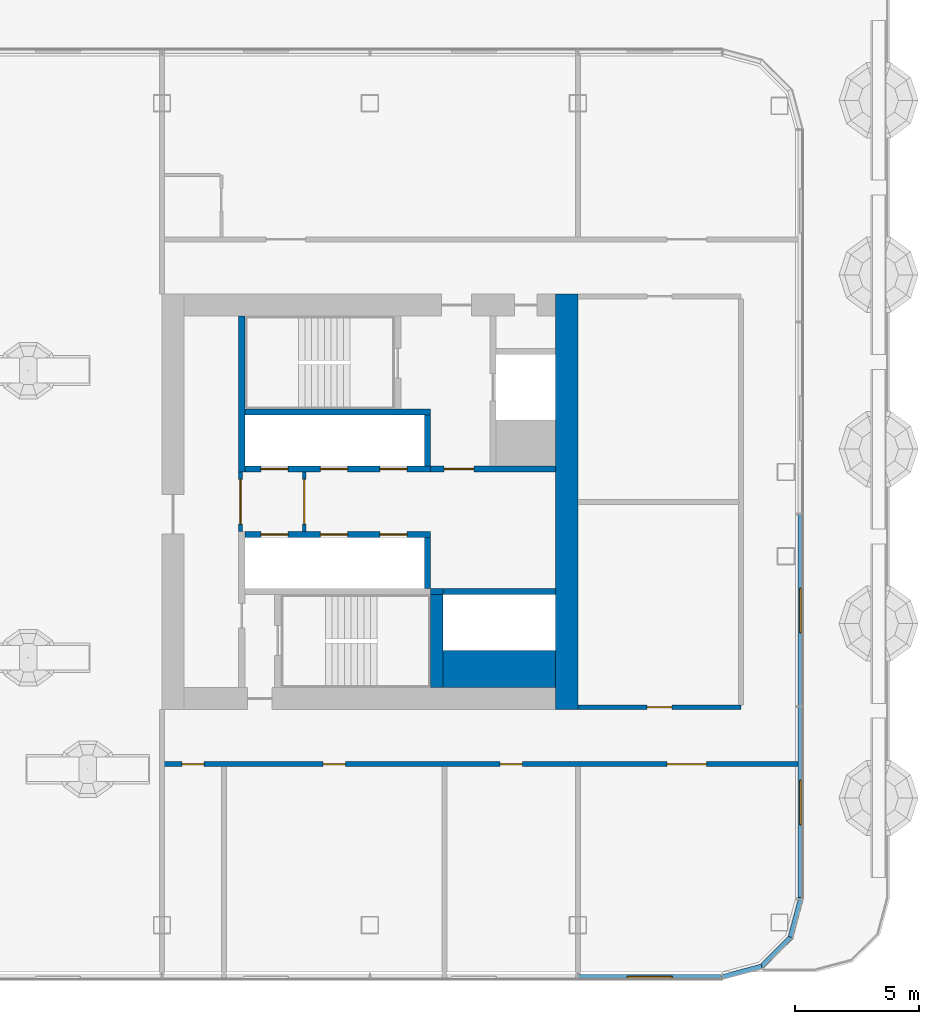
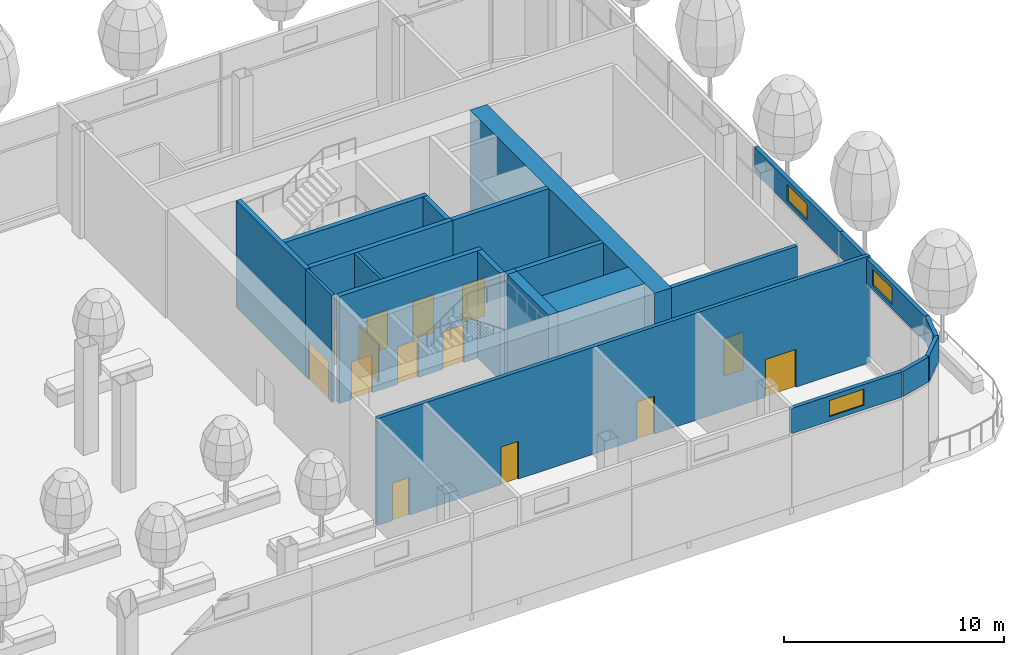
# One storey, part 15 of 43: 22 walls, 14 doors, 3 windows, 17 openings, 3 elements without a shape of their own.
"""IFC4 building model written with IfcOpenShell, lengths in metres."""

from ifc_helpers import new_model, si_unit, direction, frame, frame_2d, origin, place, context, subcontext, project, spatial, rectangle, extrude, material, layer, layer_set, type_object, element, fill, aggregate, save


model = new_model("IFC4")

# Units and contexts
model_context = context("Model", 3, precision=1e-05, world=origin(), true_north=direction((0.0, 1.0)))
body_context = subcontext(model_context, "Body", "Model", "MODEL_VIEW")
ifc_project = project(units=[si_unit("LENGTHUNIT", "METRE"), si_unit("AREAUNIT", "SQUARE_METRE"), si_unit("VOLUMEUNIT", "CUBIC_METRE"), si_unit("PLANEANGLEUNIT", "RADIAN"), si_unit("MASSUNIT", "GRAM", prefix="KILO")], contexts=[model_context])

# Site, building, storey
site_placement = place(None, origin())
site = spatial("IfcSite", under=ifc_project, at=site_placement, CompositionType="ELEMENT")
building_placement = place(site_placement, origin())
building = spatial("IfcBuilding", under=site, at=building_placement, Name="Hakoniwa Tower and Hamabe Station Hall", CompositionType="ELEMENT")
storey_placement = place(building_placement, frame((0.0, 0.0, 124.60009765625)))
storey = spatial("IfcBuildingStorey", under=building, at=storey_placement, Name="L35", CompositionType="ELEMENT", Elevation=124.60009765625)

# Wall, opening, door
ifc_material_1 = material(Name="Gypsum board partition")
ifc_layer_1 = layer(ifc_material_1, 0.14990234375)
ifc_layer_set_1 = layer_set([ifc_layer_1], Name="CORE PARTITION 150 EI 60")
wall_type_1 = type_object("IfcWallType", Name="CORE PARTITION 150 EI 60", PredefinedType="PARTITIONING", material=ifc_layer_set_1)
wall_1_placement = place(storey_placement, frame((19.97509765625, -1.199951171875, 0.0), z_axis=(0.0, 0.0, 1.0), x_axis=(0.0, 1.0, 0.0)))
wall_1 = element("IfcWall", 1, at=wall_1_placement, inside=storey, type_object=wall_type_1, Name="Core partition PL0 east", PredefinedType="PARTITIONING", context=body_context, shape_type="SweptSolid", body=[
    extrude(rectangle(XDim=2.39990234375, YDim=0.14990234375, at=frame_2d((1.199951171875, 0.0))), origin(), (0.0, 0.0, 1.0), 5.949951171875),
])
opening_1_placement = place(wall_1_placement, frame((0.300048828125, 0.0, 0.0)))
opening_1 = element("IfcOpeningElement", 2, at=opening_1_placement, cuts=wall_1, Name="Opening CD-E-LP0-18", PredefinedType="OPENING", context=body_context, shape_type="SweptSolid", body=[
    extrude(rectangle(XDim=1.800048828125, YDim=2.10009765625, at=frame_2d((0.89990234375, 1.050048828125))), frame((0.0, 0.0849609375, 0.0), z_axis=(0.0, -1.0, 0.0), x_axis=(1.0, 0.0, 0.0)), (0.0, 0.0, 1.0), 0.169921875),
])
ifc_material_2 = material(Name="Steel fire door", Category="steel")
door_type_1 = type_object("IfcDoorType", Name="CORE DOOR 1800 FD60", OperationType="DOUBLE_DOOR_SINGLE_SWING", PredefinedType="DOOR", material=ifc_material_2)
door_1_placement = place(opening_1_placement, origin())
door_1 = element("IfcDoor", 3, at=door_1_placement, inside=storey, type_object=door_type_1, Name="Lift lobby partition door", OperationType="DOUBLE_DOOR_SINGLE_SWING", OverallHeight=2.10009765625, OverallWidth=1.800048828125, PredefinedType="DOOR", context=body_context, shape_type="SweptSolid", body=[
    extrude(rectangle(XDim=1.800048828125, YDim=2.10009765625, at=frame_2d((0.89990234375, 1.050048828125))), frame((0.0, 0.02490234375, 0.0), z_axis=(0.0, -1.0, 0.0), x_axis=(1.0, 0.0, 0.0)), (0.0, 0.0, 1.0), 0.050048828125),
])
fill(opening_1, door_1)

wall_2_placement = place(storey_placement, frame((22.550048828125, -1.199951171875, 0.0), z_axis=(0.0, 0.0, 1.0), x_axis=(0.0, 1.0, 0.0)))
wall_2 = element("IfcWall", 4, at=wall_2_placement, inside=storey, type_object=wall_type_1, Name="Core partition PL1 east", PredefinedType="PARTITIONING", context=body_context, shape_type="SweptSolid", body=[
    extrude(rectangle(XDim=2.39990234375, YDim=0.14990234375, at=frame_2d((1.199951171875, 0.0))), origin(), (0.0, 0.0, 1.0), 5.949951171875),
])
opening_2_placement = place(wall_2_placement, frame((0.300048828125, 0.0, 0.0)))
opening_2 = element("IfcOpeningElement", 5, at=opening_2_placement, cuts=wall_2, Name="Opening CD-E-LP1-18", PredefinedType="OPENING", context=body_context, shape_type="SweptSolid", body=[
    extrude(rectangle(XDim=1.800048828125, YDim=2.10009765625, at=frame_2d((0.89990234375, 1.050048828125))), frame((0.0, 0.0849609375, 0.0), z_axis=(0.0, -1.0, 0.0), x_axis=(1.0, 0.0, 0.0)), (0.0, 0.0, 1.0), 0.169921875),
])
door_2_placement = place(opening_2_placement, origin())
door_2 = element("IfcDoor", 6, at=door_2_placement, inside=storey, type_object=door_type_1, Name="Lift lobby partition door", OperationType="DOUBLE_DOOR_SINGLE_SWING", OverallHeight=2.10009765625, OverallWidth=1.800048828125, PredefinedType="DOOR", context=body_context, shape_type="SweptSolid", body=[
    extrude(rectangle(XDim=1.800048828125, YDim=2.10009765625, at=frame_2d((0.89990234375, 1.050048828125))), frame((0.0, 0.02490234375, 0.0), z_axis=(0.0, -1.0, 0.0), x_axis=(1.0, 0.0, 0.0)), (0.0, 0.0, 1.0), 0.050048828125),
])
fill(opening_2, door_2)

# Walls
ifc_material_3 = material(Name="Concrete C66", Category="concrete")
ifc_layer_2 = layer(ifc_material_3, 0.89990234375)
ifc_layer_set_2 = layer_set([ifc_layer_2], Name="CORE WALL 900 C66")
wall_type_2 = type_object("IfcWallType", Name="CORE WALL 900 C66", PredefinedType="SHEAR", material=ifc_layer_set_2)
wall_3_placement = place(storey_placement, frame((33.14990234375, -8.39990234375, 0.0), z_axis=(0.0, 0.0, 1.0), x_axis=(0.0, 1.0, 0.0)))
element("IfcWall", 7, at=wall_3_placement, inside=storey, type_object=wall_type_2, Name="Core wall OUTER east", PredefinedType="SHEAR", context=body_context, shape_type="SweptSolid", body=[
    extrude(rectangle(XDim=16.7998046875, YDim=0.89990234375, at=frame_2d((8.39990234375, 0.0))), origin(), (0.0, 0.0, 1.0), 5.949951171875),
])
ifc_material_4 = material(Name="Concrete C66", Category="concrete")
ifc_layer_3 = layer(ifc_material_4, 1.5)
ifc_layer_set_3 = layer_set([ifc_layer_3], Name="CORE WEB WALL 1500 C66")
wall_type_3 = type_object("IfcWallType", Name="CORE WEB WALL 1500 C66", PredefinedType="SHEAR", material=ifc_layer_set_3)
wall_4_placement = place(storey_placement, frame((28.14990234375, -6.75, 0.0), z_axis=(0.0, 0.0, 1.0), x_axis=(1.0, 0.0, 0.0)))
element("IfcWall", 8, at=wall_4_placement, inside=storey, type_object=wall_type_3, Name="Core wall SER east", PredefinedType="SHEAR", context=body_context, shape_type="SweptSolid", body=[
    extrude(rectangle(XDim=4.550048828125, YDim=1.5, at=frame_2d((2.27490234375, 0.0))), origin(), (0.0, 0.0, 1.0), 5.949951171875),
])
ifc_material_5 = material(Name="Concrete C66", Category="concrete")
ifc_layer_4 = layer(ifc_material_5, 0.25)
ifc_layer_set_4 = layer_set([ifc_layer_4], Name="CORE WEB WALL 250 C66")
wall_type_4 = type_object("IfcWallType", Name="CORE WEB WALL 250 C66", PredefinedType="SHEAR", material=ifc_layer_set_4)
wall_5_placement = place(storey_placement, frame((20.02490234375, 1.199951171875, 0.0), z_axis=(0.0, 0.0, 1.0), x_axis=(0.0, 1.0, 0.0)))
element("IfcWall", 9, at=wall_5_placement, inside=storey, type_object=wall_type_4, Name="Core wall W1N east", PredefinedType="SHEAR", context=body_context, shape_type="SweptSolid", body=[
    extrude(rectangle(XDim=6.300048828125, YDim=0.25, at=frame_2d((3.14990234375, 0.0))), origin(), (0.0, 0.0, 1.0), 5.949951171875),
])

# Wall, openings, doors
wall_6_placement = place(storey_placement, frame((20.14990234375, 1.324951171875, 0.0), z_axis=(0.0, 0.0, 1.0), x_axis=(1.0, 0.0, 0.0)))
wall_6 = element("IfcWall", 10, at=wall_6_placement, inside=storey, type_object=wall_type_4, Name="Core wall NF east", PredefinedType="SHEAR", context=body_context, shape_type="SweptSolid", body=[
    extrude(rectangle(XDim=7.5, YDim=0.25, at=frame_2d((3.75, 0.0))), origin(), (0.0, 0.0, 1.0), 5.949951171875),
])
opening_3_placement = place(wall_6_placement, frame((0.64990234375, 0.0, 0.0)))
opening_3 = element("IfcOpeningElement", 11, at=opening_3_placement, cuts=wall_6, Name="Opening LD-LR4", PredefinedType="OPENING", context=body_context, shape_type="SweptSolid", body=[
    extrude(rectangle(XDim=1.10009765625, YDim=2.10009765625, at=frame_2d((0.550048828125, 1.050048828125))), frame((0.0, 0.135009765625, 0.0), z_axis=(0.0, -1.0, 0.0), x_axis=(1.0, 0.0, 0.0)), (0.0, 0.0, 1.0), 0.27001953125),
])
opening_4_placement = place(wall_6_placement, frame((3.050048828125, 0.0, 0.0)))
opening_4 = element("IfcOpeningElement", 12, at=opening_4_placement, cuts=wall_6, Name="Opening LD-LR5", PredefinedType="OPENING", context=body_context, shape_type="SweptSolid", body=[
    extrude(rectangle(XDim=1.10009765625, YDim=2.10009765625, at=frame_2d((0.550048828125, 1.050048828125))), frame((0.0, 0.135009765625, 0.0), z_axis=(0.0, -1.0, 0.0), x_axis=(1.0, 0.0, 0.0)), (0.0, 0.0, 1.0), 0.27001953125),
])
opening_5_placement = place(wall_6_placement, frame((5.449951171875, 0.0, 0.0)))
opening_5 = element("IfcOpeningElement", 13, at=opening_5_placement, cuts=wall_6, Name="Opening LD-LR6", PredefinedType="OPENING", context=body_context, shape_type="SweptSolid", body=[
    extrude(rectangle(XDim=1.10009765625, YDim=2.10009765625, at=frame_2d((0.550048828125, 1.050048828125))), frame((0.0, 0.135009765625, 0.0), z_axis=(0.0, -1.0, 0.0), x_axis=(1.0, 0.0, 0.0)), (0.0, 0.0, 1.0), 0.27001953125),
])
ifc_material_6 = material(Name="Stainless steel SUS304", Category="steel")
door_type_2 = type_object("IfcDoorType", Name="LIFT LANDING DOOR 1100 FD60", OperationType="DOUBLE_DOOR_SLIDING", PredefinedType="DOOR", material=ifc_material_6)
door_3_placement = place(opening_3_placement, origin())
door_3 = element("IfcDoor", 14, at=door_3_placement, inside=storey, type_object=door_type_2, Name="Lift landing door LR4 L35", OperationType="DOUBLE_DOOR_SLIDING", OverallHeight=2.10009765625, OverallWidth=1.10009765625, PredefinedType="DOOR", context=body_context, shape_type="SweptSolid", body=[
    extrude(rectangle(XDim=1.10009765625, YDim=2.10009765625, at=frame_2d((0.550048828125, 1.050048828125))), frame((0.0, 0.02490234375, 0.0), z_axis=(0.0, -1.0, 0.0), x_axis=(1.0, 0.0, 0.0)), (0.0, 0.0, 1.0), 0.050048828125),
])
fill(opening_3, door_3)
door_4_placement = place(opening_4_placement, origin())
door_4 = element("IfcDoor", 15, at=door_4_placement, inside=storey, type_object=door_type_2, Name="Lift landing door LR5 L35", OperationType="DOUBLE_DOOR_SLIDING", OverallHeight=2.10009765625, OverallWidth=1.10009765625, PredefinedType="DOOR", context=body_context, shape_type="SweptSolid", body=[
    extrude(rectangle(XDim=1.10009765625, YDim=2.10009765625, at=frame_2d((0.550048828125, 1.050048828125))), frame((0.0, 0.02490234375, 0.0), z_axis=(0.0, -1.0, 0.0), x_axis=(1.0, 0.0, 0.0)), (0.0, 0.0, 1.0), 0.050048828125),
])
fill(opening_4, door_4)
door_5_placement = place(opening_5_placement, origin())
door_5 = element("IfcDoor", 16, at=door_5_placement, inside=storey, type_object=door_type_2, Name="Lift landing door LR6 L35", OperationType="DOUBLE_DOOR_SLIDING", OverallHeight=2.10009765625, OverallWidth=1.10009765625, PredefinedType="DOOR", context=body_context, shape_type="SweptSolid", body=[
    extrude(rectangle(XDim=1.10009765625, YDim=2.10009765625, at=frame_2d((0.550048828125, 1.050048828125))), frame((0.0, 0.02490234375, 0.0), z_axis=(0.0, -1.0, 0.0), x_axis=(1.0, 0.0, 0.0)), (0.0, 0.0, 1.0), 0.050048828125),
])
fill(opening_5, door_5)

# Walls
wall_7_placement = place(storey_placement, frame((27.52490234375, 1.449951171875, 0.0), z_axis=(0.0, 0.0, 1.0), x_axis=(0.0, 1.0, 0.0)))
element("IfcWall", 17, at=wall_7_placement, inside=storey, type_object=wall_type_4, Name="Core wall NE east", PredefinedType="SHEAR", context=body_context, shape_type="SweptSolid", body=[
    extrude(rectangle(XDim=2.050048828125, YDim=0.25, at=frame_2d((1.02490234375, 0.0))), origin(), (0.0, 0.0, 1.0), 5.949951171875),
])
wall_8_placement = place(storey_placement, frame((20.14990234375, 3.625, 0.0), z_axis=(0.0, 0.0, 1.0), x_axis=(1.0, 0.0, 0.0)))
element("IfcWall", 18, at=wall_8_placement, inside=storey, type_object=wall_type_4, Name="Core wall NR east", PredefinedType="SHEAR", context=body_context, shape_type="SweptSolid", body=[
    extrude(rectangle(XDim=7.5, YDim=0.25, at=frame_2d((3.75, 0.0))), origin(), (0.0, 0.0, 1.0), 5.949951171875),
])

# Wall, opening, door
wall_9_placement = place(storey_placement, frame((27.64990234375, 1.324951171875, 0.0), z_axis=(0.0, 0.0, 1.0), x_axis=(1.0, 0.0, 0.0)))
wall_9 = element("IfcWall", 19, at=wall_9_placement, inside=storey, type_object=wall_type_4, Name="Core wall ELN east", PredefinedType="SHEAR", context=body_context, shape_type="SweptSolid", body=[
    extrude(rectangle(XDim=5.050048828125, YDim=0.25, at=frame_2d((2.52490234375, 0.0))), origin(), (0.0, 0.0, 1.0), 5.949951171875),
])
opening_6_placement = place(wall_9_placement, frame((0.550048828125, 0.0, 0.0)))
opening_6 = element("IfcOpeningElement", 20, at=opening_6_placement, cuts=wall_9, Name="Opening CD-E-FL-12", PredefinedType="OPENING", context=body_context, shape_type="SweptSolid", body=[
    extrude(rectangle(XDim=1.199951171875, YDim=2.10009765625, at=frame_2d((0.60009765625, 1.050048828125))), frame((0.0, 0.135009765625, 0.0), z_axis=(0.0, -1.0, 0.0), x_axis=(1.0, 0.0, 0.0)), (0.0, 0.0, 1.0), 0.27001953125),
])
ifc_material_7 = material(Name="Steel fire door", Category="steel")
door_type_3 = type_object("IfcDoorType", Name="CORE DOOR 1200 FD60", OperationType="DOUBLE_DOOR_SINGLE_SWING", PredefinedType="DOOR", material=ifc_material_7)
door_6_placement = place(opening_6_placement, origin())
door_6 = element("IfcDoor", 21, at=door_6_placement, inside=storey, type_object=door_type_3, Name="Stair vestibule door to the fire-fighting lobby", OperationType="DOUBLE_DOOR_SINGLE_SWING", OverallHeight=2.10009765625, OverallWidth=1.199951171875, PredefinedType="DOOR", context=body_context, shape_type="SweptSolid", body=[
    extrude(rectangle(XDim=1.199951171875, YDim=2.10009765625, at=frame_2d((0.60009765625, 1.050048828125))), frame((0.0, 0.02490234375, 0.0), z_axis=(0.0, -1.0, 0.0), x_axis=(1.0, 0.0, 0.0)), (0.0, 0.0, 1.0), 0.050048828125),
])
fill(opening_6, door_6)

# Wall, openings, doors
wall_10_placement = place(storey_placement, frame((20.14990234375, -1.324951171875, 0.0), z_axis=(0.0, 0.0, 1.0), x_axis=(1.0, 0.0, 0.0)))
wall_10 = element("IfcWall", 22, at=wall_10_placement, inside=storey, type_object=wall_type_4, Name="Core wall SF east", PredefinedType="SHEAR", context=body_context, shape_type="SweptSolid", body=[
    extrude(rectangle(XDim=7.5, YDim=0.25, at=frame_2d((3.75, 0.0))), origin(), (0.0, 0.0, 1.0), 5.949951171875),
])
opening_7_placement = place(wall_10_placement, frame((0.64990234375, 0.0, 0.0)))
opening_7 = element("IfcOpeningElement", 23, at=opening_7_placement, cuts=wall_10, Name="Opening LD-HR4", PredefinedType="OPENING", context=body_context, shape_type="SweptSolid", body=[
    extrude(rectangle(XDim=1.10009765625, YDim=2.10009765625, at=frame_2d((0.550048828125, 1.050048828125))), frame((0.0, 0.135009765625, 0.0), z_axis=(0.0, -1.0, 0.0), x_axis=(1.0, 0.0, 0.0)), (0.0, 0.0, 1.0), 0.27001953125),
])
opening_8_placement = place(wall_10_placement, frame((3.050048828125, 0.0, 0.0)))
opening_8 = element("IfcOpeningElement", 24, at=opening_8_placement, cuts=wall_10, Name="Opening LD-HR5", PredefinedType="OPENING", context=body_context, shape_type="SweptSolid", body=[
    extrude(rectangle(XDim=1.10009765625, YDim=2.10009765625, at=frame_2d((0.550048828125, 1.050048828125))), frame((0.0, 0.135009765625, 0.0), z_axis=(0.0, -1.0, 0.0), x_axis=(1.0, 0.0, 0.0)), (0.0, 0.0, 1.0), 0.27001953125),
])
opening_9_placement = place(wall_10_placement, frame((5.449951171875, 0.0, 0.0)))
opening_9 = element("IfcOpeningElement", 25, at=opening_9_placement, cuts=wall_10, Name="Opening LD-HR6", PredefinedType="OPENING", context=body_context, shape_type="SweptSolid", body=[
    extrude(rectangle(XDim=1.10009765625, YDim=2.10009765625, at=frame_2d((0.550048828125, 1.050048828125))), frame((0.0, 0.135009765625, 0.0), z_axis=(0.0, -1.0, 0.0), x_axis=(1.0, 0.0, 0.0)), (0.0, 0.0, 1.0), 0.27001953125),
])
door_7_placement = place(opening_7_placement, origin())
door_7 = element("IfcDoor", 26, at=door_7_placement, inside=storey, type_object=door_type_2, Name="Lift landing door HR4 L35", OperationType="DOUBLE_DOOR_SLIDING", OverallHeight=2.10009765625, OverallWidth=1.10009765625, PredefinedType="DOOR", context=body_context, shape_type="SweptSolid", body=[
    extrude(rectangle(XDim=1.10009765625, YDim=2.10009765625, at=frame_2d((0.550048828125, 1.050048828125))), frame((0.0, 0.02490234375, 0.0), z_axis=(0.0, -1.0, 0.0), x_axis=(1.0, 0.0, 0.0)), (0.0, 0.0, 1.0), 0.050048828125),
])
fill(opening_7, door_7)
door_8_placement = place(opening_8_placement, origin())
door_8 = element("IfcDoor", 27, at=door_8_placement, inside=storey, type_object=door_type_2, Name="Lift landing door HR5 L35", OperationType="DOUBLE_DOOR_SLIDING", OverallHeight=2.10009765625, OverallWidth=1.10009765625, PredefinedType="DOOR", context=body_context, shape_type="SweptSolid", body=[
    extrude(rectangle(XDim=1.10009765625, YDim=2.10009765625, at=frame_2d((0.550048828125, 1.050048828125))), frame((0.0, 0.02490234375, 0.0), z_axis=(0.0, -1.0, 0.0), x_axis=(1.0, 0.0, 0.0)), (0.0, 0.0, 1.0), 0.050048828125),
])
fill(opening_8, door_8)
door_9_placement = place(opening_9_placement, origin())
door_9 = element("IfcDoor", 28, at=door_9_placement, inside=storey, type_object=door_type_2, Name="Lift landing door HR6 L35", OperationType="DOUBLE_DOOR_SLIDING", OverallHeight=2.10009765625, OverallWidth=1.10009765625, PredefinedType="DOOR", context=body_context, shape_type="SweptSolid", body=[
    extrude(rectangle(XDim=1.10009765625, YDim=2.10009765625, at=frame_2d((0.550048828125, 1.050048828125))), frame((0.0, 0.02490234375, 0.0), z_axis=(0.0, -1.0, 0.0), x_axis=(1.0, 0.0, 0.0)), (0.0, 0.0, 1.0), 0.050048828125),
])
fill(opening_9, door_9)

# Walls
wall_11_placement = place(storey_placement, frame((27.52490234375, -3.5, 0.0), z_axis=(0.0, 0.0, 1.0), x_axis=(0.0, 1.0, 0.0)))
element("IfcWall", 29, at=wall_11_placement, inside=storey, type_object=wall_type_4, Name="Core wall SE east", PredefinedType="SHEAR", context=body_context, shape_type="SweptSolid", body=[
    extrude(rectangle(XDim=2.050048828125, YDim=0.25, at=frame_2d((1.02490234375, 0.0))), origin(), (0.0, 0.0, 1.0), 5.949951171875),
])
wall_12_placement = place(storey_placement, frame((28.14990234375, -3.625, 0.0), z_axis=(0.0, 0.0, 1.0), x_axis=(1.0, 0.0, 0.0)))
element("IfcWall", 30, at=wall_12_placement, inside=storey, type_object=wall_type_4, Name="Core wall SEF east", PredefinedType="SHEAR", context=body_context, shape_type="SweptSolid", body=[
    extrude(rectangle(XDim=4.550048828125, YDim=0.25, at=frame_2d((2.27490234375, 0.0))), origin(), (0.0, 0.0, 1.0), 5.949951171875),
])
wall_13_placement = place(storey_placement, frame((27.64990234375, -3.625, 0.0), z_axis=(0.0, 0.0, 1.0), x_axis=(1.0, 0.0, 0.0)))
element("IfcWall", 31, at=wall_13_placement, inside=storey, type_object=wall_type_4, Name="Core wall SRK east", PredefinedType="SHEAR", context=body_context, shape_type="SweptSolid", body=[
    extrude(rectangle(XDim=0.5, YDim=0.25, at=frame_2d((0.25, 0.0))), origin(), (0.0, 0.0, 1.0), 5.949951171875),
])
ifc_material_8 = material(Name="Concrete C66", Category="concrete")
ifc_layer_5 = layer(ifc_material_8, 0.5)
ifc_layer_set_5 = layer_set([ifc_layer_5], Name="CORE WEB WALL 500 C66")
wall_type_5 = type_object("IfcWallType", Name="CORE WEB WALL 500 C66", PredefinedType="SHEAR", material=ifc_layer_set_5)
wall_14_placement = place(storey_placement, frame((27.89990234375, -7.5, 0.0), z_axis=(0.0, 0.0, 1.0), x_axis=(0.0, 1.0, 0.0)))
element("IfcWall", 32, at=wall_14_placement, inside=storey, type_object=wall_type_5, Name="Core wall SSE east", PredefinedType="SHEAR", context=body_context, shape_type="SweptSolid", body=[
    extrude(rectangle(XDim=3.75, YDim=0.5, at=frame_2d((1.875, 0.0))), origin(), (0.0, 0.0, 1.0), 5.949951171875),
])

# Wall, openings, doors
ifc_material_9 = material(Name="Fire-rated gypsum board partition", Category="gypsum")
ifc_layer_6 = layer(ifc_material_9, 0.199951171875)
ifc_layer_set_6 = layer_set([ifc_layer_6], Name="Corridor Wall 200")
wall_type_6 = type_object("IfcWallType", Name="Corridor Wall 200", PredefinedType="PARTITIONING", material=ifc_layer_set_6)
wall_15_placement = place(storey_placement, frame((16.800048828125, -10.60009765625, 0.0), z_axis=(0.0, 0.0, 1.0), x_axis=(1.0, 0.0, 0.0)))
wall_15 = element("IfcWall", 33, at=wall_15_placement, inside=storey, type_object=wall_type_6, Name="GW-L35-002", PredefinedType="PARTITIONING", context=body_context, shape_type="SweptSolid", body=[
    extrude(rectangle(XDim=25.89990234375, YDim=0.199951171875, at=frame_2d((12.949951171875, 0.0))), origin(), (0.0, 0.0, 1.0), 5.949951171875),
])
opening_10_placement = place(wall_15_placement, frame((0.800048828125, 0.0, 0.0)))
opening_10 = element("IfcOpeningElement", 34, at=opening_10_placement, cuts=wall_15, Name="Opening GD-SL35-03", PredefinedType="OPENING", context=body_context, shape_type="SweptSolid", body=[
    extrude(rectangle(XDim=0.89990234375, YDim=2.10009765625, at=frame_2d((0.449951171875, 1.050048828125))), frame((0.0, 0.10986328125, 0.0), z_axis=(0.0, -1.0, 0.0), x_axis=(1.0, 0.0, 0.0)), (0.0, 0.0, 1.0), 0.219970703125),
])
opening_11_placement = place(wall_15_placement, frame((6.510009765625, 0.0, 0.0)))
opening_11 = element("IfcOpeningElement", 35, at=opening_11_placement, cuts=wall_15, Name="Opening GD-SL35-04", PredefinedType="OPENING", context=body_context, shape_type="SweptSolid", body=[
    extrude(rectangle(XDim=0.89990234375, YDim=2.10009765625, at=frame_2d((0.449951171875, 1.050048828125))), frame((0.0, 0.10986328125, 0.0), z_axis=(0.0, -1.0, 0.0), x_axis=(1.0, 0.0, 0.0)), (0.0, 0.0, 1.0), 0.219970703125),
])
opening_12_placement = place(wall_15_placement, frame((13.659912109375, 0.0, 0.0)))
opening_12 = element("IfcOpeningElement", 36, at=opening_12_placement, cuts=wall_15, Name="Opening GD-SL35-05", PredefinedType="OPENING", context=body_context, shape_type="SweptSolid", body=[
    extrude(rectangle(XDim=0.89990234375, YDim=2.10009765625, at=frame_2d((0.449951171875, 1.050048828125))), frame((0.0, 0.10986328125, 0.0), z_axis=(0.0, -1.0, 0.0), x_axis=(1.0, 0.0, 0.0)), (0.0, 0.0, 1.0), 0.219970703125),
])
opening_13_placement = place(wall_15_placement, frame((20.39990234375, 0.0, 0.0)))
opening_13 = element("IfcOpeningElement", 37, at=opening_13_placement, cuts=wall_15, Name="Opening GD-SL35-06", PredefinedType="OPENING", context=body_context, shape_type="SweptSolid", body=[
    extrude(rectangle(XDim=1.60009765625, YDim=2.10009765625, at=frame_2d((0.800048828125, 1.050048828125))), frame((0.0, 0.10986328125, 0.0), z_axis=(0.0, -1.0, 0.0), x_axis=(1.0, 0.0, 0.0)), (0.0, 0.0, 1.0), 0.219970703125),
])
ifc_material_10 = material(Name="Timber door leaf", Category="wood")
door_type_4 = type_object("IfcDoorType", Name="Double Door 1600", OperationType="DOUBLE_DOOR_SINGLE_SWING", PredefinedType="DOOR", material=ifc_material_10)
door_10_placement = place(opening_13_placement, origin())
door_10 = element("IfcDoor", 38, at=door_10_placement, inside=storey, type_object=door_type_4, Name="Door GD-SL35-06", OperationType="DOUBLE_DOOR_SINGLE_SWING", OverallHeight=2.10009765625, OverallWidth=1.60009765625, PredefinedType="DOOR", context=body_context, shape_type="SweptSolid", body=[
    extrude(rectangle(XDim=1.60009765625, YDim=2.10009765625, at=frame_2d((0.800048828125, 1.050048828125))), frame((0.0, 0.02490234375, 0.0), z_axis=(0.0, -1.0, 0.0), x_axis=(1.0, 0.0, 0.0)), (0.0, 0.0, 1.0), 0.050048828125),
])
fill(opening_13, door_10)
ifc_material_11 = material(Name="Timber door leaf", Category="wood")
door_type_5 = type_object("IfcDoorType", Name="Service Door 900", OperationType="SINGLE_SWING_LEFT", PredefinedType="DOOR", material=ifc_material_11)
door_11_placement = place(opening_10_placement, origin())
door_11 = element("IfcDoor", 39, at=door_11_placement, inside=storey, type_object=door_type_5, Name="Door GD-SL35-03", OperationType="SINGLE_SWING_RIGHT", OverallHeight=2.10009765625, OverallWidth=0.89990234375, PredefinedType="DOOR", context=body_context, shape_type="SweptSolid", body=[
    extrude(rectangle(XDim=0.89990234375, YDim=2.10009765625, at=frame_2d((0.449951171875, 1.050048828125))), frame((0.0, 0.02490234375, 0.0), z_axis=(0.0, -1.0, 0.0), x_axis=(1.0, 0.0, 0.0)), (0.0, 0.0, 1.0), 0.050048828125),
])
fill(opening_10, door_11)
door_12_placement = place(opening_11_placement, origin())
door_12 = element("IfcDoor", 40, at=door_12_placement, inside=storey, type_object=door_type_5, Name="Door GD-SL35-04", OperationType="SINGLE_SWING_LEFT", OverallHeight=2.10009765625, OverallWidth=0.89990234375, PredefinedType="DOOR", context=body_context, shape_type="SweptSolid", body=[
    extrude(rectangle(XDim=0.89990234375, YDim=2.10009765625, at=frame_2d((0.449951171875, 1.050048828125))), frame((0.0, 0.02490234375, 0.0), z_axis=(0.0, -1.0, 0.0), x_axis=(1.0, 0.0, 0.0)), (0.0, 0.0, 1.0), 0.050048828125),
])
fill(opening_11, door_12)
door_13_placement = place(opening_12_placement, origin())
door_13 = element("IfcDoor", 41, at=door_13_placement, inside=storey, type_object=door_type_5, Name="Door GD-SL35-05", OperationType="SINGLE_SWING_RIGHT", OverallHeight=2.10009765625, OverallWidth=0.89990234375, PredefinedType="DOOR", context=body_context, shape_type="SweptSolid", body=[
    extrude(rectangle(XDim=0.89990234375, YDim=2.10009765625, at=frame_2d((0.449951171875, 1.050048828125))), frame((0.0, 0.02490234375, 0.0), z_axis=(0.0, -1.0, 0.0), x_axis=(1.0, 0.0, 0.0)), (0.0, 0.0, 1.0), 0.050048828125),
])
fill(opening_12, door_13)

# Wall, opening, door
wall_16_placement = place(storey_placement, frame((33.60009765625, -8.300048828125, 0.0), z_axis=(0.0, 0.0, 1.0), x_axis=(1.0, 0.0, 0.0)))
wall_16 = element("IfcWall", 42, at=wall_16_placement, inside=storey, type_object=wall_type_6, Name="GW-L35-004", PredefinedType="PARTITIONING", context=body_context, shape_type="SweptSolid", body=[
    extrude(rectangle(XDim=6.599853515625, YDim=0.199951171875, at=frame_2d((3.2998046875, 0.0))), origin(), (0.0, 0.0, 1.0), 5.949951171875),
])
opening_14_placement = place(wall_16_placement, frame((2.800048828125, 0.0, 0.0)))
opening_14 = element("IfcOpeningElement", 43, at=opening_14_placement, cuts=wall_16, Name="Opening GD-SL35-08", PredefinedType="OPENING", context=body_context, shape_type="SweptSolid", body=[
    extrude(rectangle(XDim=1.0, YDim=2.10009765625, at=frame_2d((0.5, 1.050048828125))), frame((0.0, 0.10986328125, 0.0), z_axis=(0.0, -1.0, 0.0), x_axis=(1.0, 0.0, 0.0)), (0.0, 0.0, 1.0), 0.219970703125),
])
ifc_material_12 = material(Name="Timber door leaf", Category="wood")
door_type_6 = type_object("IfcDoorType", Name="Guest Entrance Door 1000", OperationType="SINGLE_SWING_LEFT", PredefinedType="DOOR", material=ifc_material_12)
door_14_placement = place(opening_14_placement, origin())
door_14 = element("IfcDoor", 44, at=door_14_placement, inside=storey, type_object=door_type_6, Name="Door GD-SL35-08", OperationType="SINGLE_SWING_RIGHT", OverallHeight=2.10009765625, OverallWidth=1.0, PredefinedType="DOOR", context=body_context, shape_type="SweptSolid", body=[
    extrude(rectangle(XDim=1.0, YDim=2.10009765625, at=frame_2d((0.5, 1.050048828125))), frame((0.0, 0.02490234375, 0.0), z_axis=(0.0, -1.0, 0.0), x_axis=(1.0, 0.0, 0.0)), (0.0, 0.0, 1.0), 0.050048828125),
])
fill(opening_14, door_14)

# Curtain wall, walls, openings, windows
ifc_material_13 = material(Name="Dark low-e laminated glass", Category="glass")
ifc_layer_7 = layer(ifc_material_13, 0.199951171875)
ifc_layer_set_7 = layer_set([ifc_layer_7], Name="CW-2 SKY GARDEN")
curtain_wall_type = type_object("IfcCurtainWallType", Name="CW-2 SKY GARDEN", PredefinedType="NOTDEFINED", material=ifc_layer_set_7)
curtain_wall_1_placement = place(storey_placement, origin())
curtain_wall_1 = element("IfcCurtainWall", 45, at=curtain_wall_1_placement, inside=storey, type_object=curtain_wall_type, Name="CW-2 curtain wall", PredefinedType="NOTDEFINED")
ifc_material_14 = material(Name="Dark glass-faced aluminium panel", Category="aluminium")
ifc_layer_8 = layer(ifc_material_14, 0.199951171875)
ifc_layer_set_8 = layer_set([ifc_layer_8], Name="VENT BAND WALL")
wall_type_7 = type_object("IfcWallType", Name="VENT BAND WALL", PredefinedType="NOTDEFINED", material=ifc_layer_set_8)
wall_17_placement = place(storey_placement, frame((42.60009765625, -16.009521484375, 4.449951171875), z_axis=(0.0, 0.0, 1.0), x_axis=(0.0, 1.0, 0.0)))
wall_17 = element("IfcWall", 46, at=wall_17_placement, type_object=wall_type_7, Name="Vent band wall", PredefinedType="NOTDEFINED", context=body_context, shape_type="SweptSolid", body=[
    extrude(rectangle(XDim=7.73974609375, YDim=0.199951171875, at=frame_2d((3.869873046875, 0.0))), origin(), (0.0, 0.0, 1.0), 1.39990234375),
])
opening_15_placement = place(wall_17_placement, frame((2.969970703125, 0.0, 0.25)))
opening_15 = element("IfcOpeningElement", 47, at=opening_15_placement, cuts=wall_17, Name="Opening VW-1", PredefinedType="OPENING", context=body_context, shape_type="SweptSolid", body=[
    extrude(rectangle(XDim=1.800048828125, YDim=0.89990234375, at=frame_2d((0.89990234375, 0.449951171875))), frame((0.0, 0.10986328125, 0.0), z_axis=(0.0, -1.0, 0.0), x_axis=(1.0, 0.0, 0.0)), (0.0, 0.0, 1.0), 0.219970703125),
])
ifc_material_15 = material(Name="Dark low-e laminated glass", Category="glass")
window_type = type_object("IfcWindowType", Name="VENT WINDOW 1800X900", PartitioningType="SINGLE_PANEL", PredefinedType="WINDOW", material=ifc_material_15)
window_1_placement = place(opening_15_placement, origin())
window_1 = element("IfcWindow", 48, at=window_1_placement, inside=storey, type_object=window_type, Name="Vent window", OverallHeight=0.89990234375, OverallWidth=1.800048828125, PartitioningType="SINGLE_PANEL", PredefinedType="WINDOW", context=body_context, shape_type="SweptSolid", body=[
    extrude(rectangle(XDim=1.800048828125, YDim=0.89990234375, at=frame_2d((0.89990234375, 0.449951171875))), frame((0.0, 0.030029296875, 0.0), z_axis=(0.0, -1.0, 0.0), x_axis=(1.0, 0.0, 0.0)), (0.0, 0.0, 1.0), 0.06005859375),
])
fill(opening_15, window_1)
wall_18_placement = place(storey_placement, frame((42.60009765625, -8.269775390625, 4.449951171875), z_axis=(0.0, 0.0, 1.0), x_axis=(0.0, 1.0, 0.0)))
wall_18 = element("IfcWall", 49, at=wall_18_placement, type_object=wall_type_7, Name="Vent band wall", PredefinedType="NOTDEFINED", context=body_context, shape_type="SweptSolid", body=[
    extrude(rectangle(XDim=7.769775390625, YDim=0.199951171875, at=frame_2d((3.884765625, 0.0))), origin(), (0.0, 0.0, 1.0), 1.39990234375),
])
opening_16_placement = place(wall_18_placement, frame((2.98486328125, 0.0, 0.25)))
opening_16 = element("IfcOpeningElement", 50, at=opening_16_placement, cuts=wall_18, Name="Opening VW-1", PredefinedType="OPENING", context=body_context, shape_type="SweptSolid", body=[
    extrude(rectangle(XDim=1.800048828125, YDim=0.89990234375, at=frame_2d((0.89990234375, 0.449951171875))), frame((0.0, 0.10986328125, 0.0), z_axis=(0.0, -1.0, 0.0), x_axis=(1.0, 0.0, 0.0)), (0.0, 0.0, 1.0), 0.219970703125),
])
window_2_placement = place(opening_16_placement, origin())
window_2 = element("IfcWindow", 51, at=window_2_placement, inside=storey, type_object=window_type, Name="Vent window", OverallHeight=0.89990234375, OverallWidth=1.800048828125, PartitioningType="SINGLE_PANEL", PredefinedType="WINDOW", context=body_context, shape_type="SweptSolid", body=[
    extrude(rectangle(XDim=1.800048828125, YDim=0.89990234375, at=frame_2d((0.89990234375, 0.449951171875))), frame((0.0, 0.030029296875, 0.0), z_axis=(0.0, -1.0, 0.0), x_axis=(1.0, 0.0, 0.0)), (0.0, 0.0, 1.0), 0.06005859375),
])
fill(opening_16, window_2)
aggregate(curtain_wall_1, [wall_17, wall_18])

# Curtain wall, wall, opening, window
curtain_wall_2_placement = place(storey_placement, origin())
curtain_wall_2 = element("IfcCurtainWall", 52, at=curtain_wall_2_placement, inside=storey, type_object=curtain_wall_type, Name="CW-2 curtain wall", PredefinedType="NOTDEFINED")
wall_19_placement = place(storey_placement, frame((33.60009765625, -19.199951171875, 4.449951171875), z_axis=(0.0, 0.0, 1.0), x_axis=(1.0, 0.0, 0.0)))
wall_19 = element("IfcWall", 53, at=wall_19_placement, type_object=wall_type_7, Name="Vent band wall", PredefinedType="NOTDEFINED", context=body_context, shape_type="SweptSolid", body=[
    extrude(rectangle(XDim=5.809326171875, YDim=0.199951171875, at=frame_2d((2.90478515625, 0.0))), origin(), (0.0, 0.0, 1.0), 1.39990234375),
])
opening_17_placement = place(wall_19_placement, frame((2.004638671875, 0.0, 0.25)))
opening_17 = element("IfcOpeningElement", 54, at=opening_17_placement, cuts=wall_19, Name="Opening VW-1", PredefinedType="OPENING", context=body_context, shape_type="SweptSolid", body=[
    extrude(rectangle(XDim=1.800048828125, YDim=0.89990234375, at=frame_2d((0.89990234375, 0.449951171875))), frame((0.0, 0.10986328125, 0.0), z_axis=(0.0, -1.0, 0.0), x_axis=(1.0, 0.0, 0.0)), (0.0, 0.0, 1.0), 0.219970703125),
])
window_3_placement = place(opening_17_placement, origin())
window_3 = element("IfcWindow", 55, at=window_3_placement, inside=storey, type_object=window_type, Name="Vent window", OverallHeight=0.89990234375, OverallWidth=1.800048828125, PartitioningType="SINGLE_PANEL", PredefinedType="WINDOW", context=body_context, shape_type="SweptSolid", body=[
    extrude(rectangle(XDim=1.800048828125, YDim=0.89990234375, at=frame_2d((0.89990234375, 0.449951171875))), frame((0.0, 0.030029296875, 0.0), z_axis=(0.0, -1.0, 0.0), x_axis=(1.0, 0.0, 0.0)), (0.0, 0.0, 1.0), 0.06005859375),
])
fill(opening_17, window_3)
aggregate(curtain_wall_2, [wall_19])

# Curtain wall, walls
curtain_wall_3_placement = place(storey_placement, origin())
curtain_wall_3 = element("IfcCurtainWall", 56, at=curtain_wall_3_placement, inside=storey, type_object=curtain_wall_type, Name="CW-2 curtain wall", PredefinedType="NOTDEFINED")
wall_20_placement = place(storey_placement, frame((39.442626953125, -19.195556640625, 4.449951171875), z_axis=(0.0, 0.0, 1.0), x_axis=(0.965940754539, 0.258763325689, 0.0)))
wall_20 = element("IfcWall", 57, at=wall_20_placement, type_object=wall_type_7, Name="Vent band wall", PredefinedType="NOTDEFINED", context=body_context, shape_type="SweptSolid", body=[
    extrude(rectangle(XDim=1.642578125, YDim=0.199951171875, at=frame_2d((0.8212890625, 0.0))), origin(), (0.0, 0.0, 1.0), 1.39990234375),
])
wall_21_placement = place(storey_placement, frame((41.029296875, -18.7705078125, 4.449951171875), z_axis=(0.0, 0.0, 1.0), x_axis=(0.707106781187, 0.707106781187, 0.0)))
wall_21 = element("IfcWall", 58, at=wall_21_placement, type_object=wall_type_7, Name="Vent band wall", PredefinedType="NOTDEFINED", context=body_context, shape_type="SweptSolid", body=[
    extrude(rectangle(XDim=1.7138671875, YDim=0.199951171875, at=frame_2d((0.85693359375, 0.0))), origin(), (0.0, 0.0, 1.0), 1.39990234375),
])
wall_22_placement = place(storey_placement, frame((42.1962890625, -17.58447265625, 4.449951171875), z_axis=(0.0, 0.0, 1.0), x_axis=(0.258901994846, 0.965903596155, 0.0)))
wall_22 = element("IfcWall", 59, at=wall_22_placement, type_object=wall_type_7, Name="Vent band wall", PredefinedType="NOTDEFINED", context=body_context, shape_type="SweptSolid", body=[
    extrude(rectangle(XDim=1.642578125, YDim=0.199951171875, at=frame_2d((0.8212890625, 0.0))), origin(), (0.0, 0.0, 1.0), 1.39990234375),
])
aggregate(curtain_wall_3, [wall_20, wall_21, wall_22])

save(model, "model.ifc")
